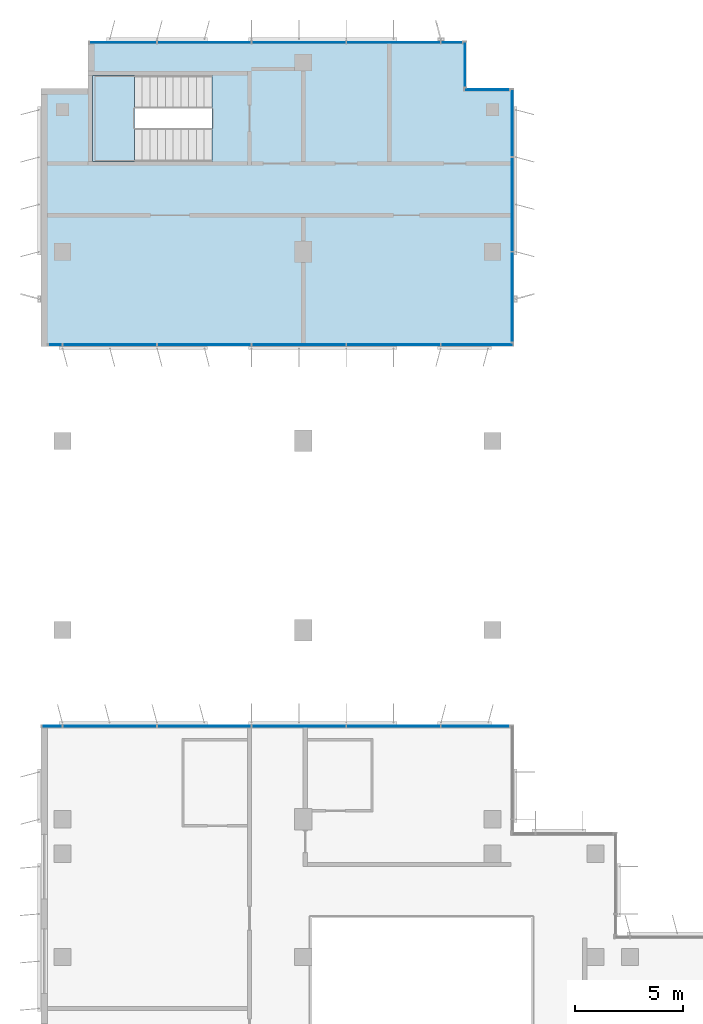
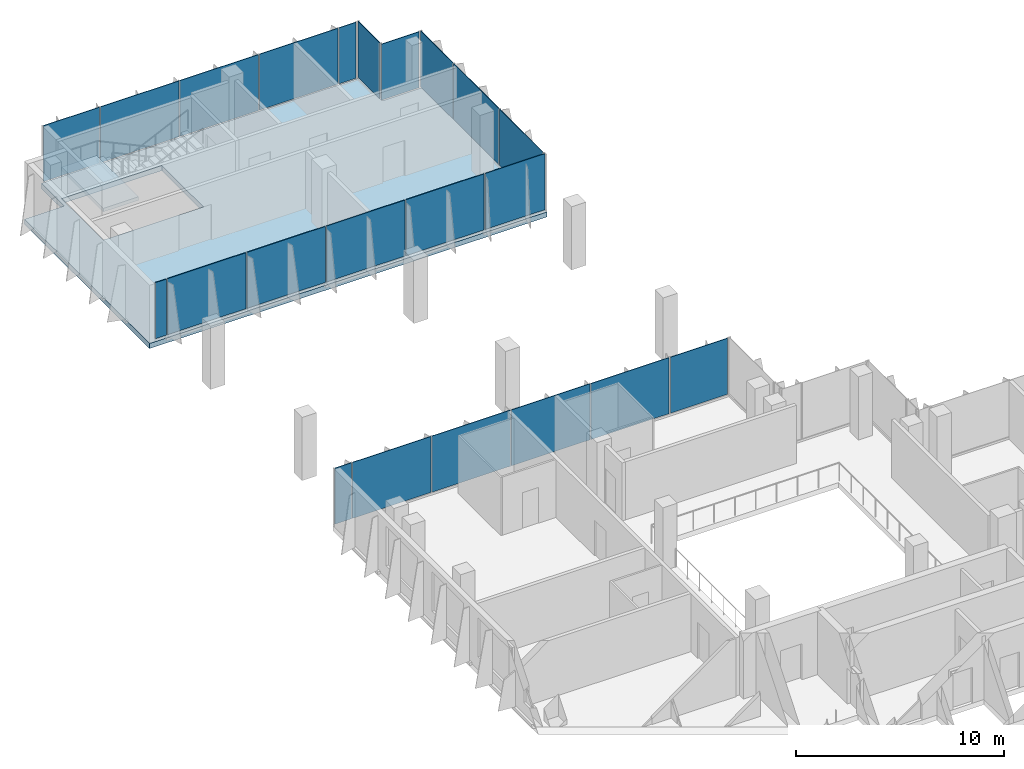
# One storey, part 8 of 14: 22 plates, 2 slabs, 7 elements without a shape of their own.
"""IFC4 building model written with IfcOpenShell, lengths in metres."""

from ifc_helpers import new_model, si_unit, direction, frame, origin, origin_2d, place, context, subcontext, project, spatial, polyline, rectangle, outline, extrude, source, transform, mapped, material, layer, layer_set, type_object, element, aggregate, save


model = new_model("IFC4")

# Units and contexts
model_context = context("Model", 3, precision=1e-05, world=origin(), true_north=direction((0.0, 1.0)))
body_context = subcontext(model_context, "Body", "Model", "MODEL_VIEW")
ifc_project = project(units=[si_unit("LENGTHUNIT", "METRE"), si_unit("AREAUNIT", "SQUARE_METRE"), si_unit("VOLUMEUNIT", "CUBIC_METRE"), si_unit("PLANEANGLEUNIT", "RADIAN"), si_unit("MASSUNIT", "GRAM", prefix="KILO")], contexts=[model_context])

# Site, building, storey
site_placement = place(None, origin())
site = spatial("IfcSite", under=ifc_project, at=site_placement, CompositionType="ELEMENT")
building_placement = place(site_placement, origin())
building = spatial("IfcBuilding", under=site, at=building_placement, Name="Kemantara Hotel Tower", CompositionType="ELEMENT")
storey_placement = place(building_placement, frame((0.0, 0.0, 245.0)))
storey = spatial("IfcBuildingStorey", under=building, at=storey_placement, Name="L61", CompositionType="ELEMENT", Elevation=245.0)

# Slab
ifc_material_1 = material(Name="Concrete fc 40 MPa", Category="concrete")
ifc_layer_1 = layer(ifc_material_1, 0.300048828125)
ifc_layer_set_1 = layer_set([ifc_layer_1], Name="Concrete fc 40 MPa")
slab_type_1 = type_object("IfcSlabType", Name="POST-TENSIONED FLAT PLATE 300", PredefinedType="FLOOR", material=ifc_layer_set_1)
slab_1_placement = place(storey_placement, frame((0.0, 0.0, -0.300048828125)))
element("IfcSlab", 1, at=slab_1_placement, inside=storey, type_object=slab_type_1, Name="FLOOR SLAB L61", PredefinedType="FLOOR", context=body_context, shape_type="SweptSolid", body=[
    extrude(outline(polyline([(2.199951171875, 61.39990234375), (0.0, 61.39990234375), (0.0, 49.39990234375), (22.0, 49.39990234375), (22.0, 61.39990234375), (19.800048828125, 61.39990234375), (19.800048828125, 63.60009765625), (2.199951171875, 63.60009765625), (2.199951171875, 61.39990234375)]), holes=[polyline([(2.39990234375, 58.0), (2.39990234375, 62.0), (7.949462890625, 62.0), (7.949462890625, 58.0), (2.39990234375, 58.0)])]), origin(), (0.0, 0.0, 1.0), 0.300048828125),
])

# Stair, slab
stair_type = type_object("IfcStairType", Name="Stair 1550 wide 22 risers of 168 x 360 mm", PredefinedType="HALF_TURN_STAIR", material=ifc_material_1)
stair_placement = place(storey_placement, origin())
stair = element("IfcStair", 2, at=stair_placement, inside=storey, type_object=stair_type, Name="L61 Exit stair ST4", PredefinedType="HALF_TURN_STAIR")
ifc_layer_2 = layer(ifc_material_1, 0.199951171875)
ifc_layer_set_2 = layer_set([ifc_layer_2], Name="Concrete fc 40 MPa")
slab_type_2 = type_object("IfcSlabType", Name="Stair landing 200 mm", PredefinedType="LANDING", material=ifc_layer_set_2)
slab_2_placement = place(storey_placement, frame((0.0, 0.0, 1.64990234375)))
slab_2 = element("IfcSlab", 3, at=slab_2_placement, type_object=slab_type_2, Name="ST4 landing 1", PredefinedType="LANDING", context=body_context, shape_type="SweptSolid", body=[
    extrude(outline(polyline([(4.35009765625, 62.0), (2.39990234375, 62.0), (2.39990234375, 58.0), (4.35009765625, 58.0), (4.35009765625, 62.0)])), origin(), (0.0, 0.0, 1.0), 0.2001953125),
])
aggregate(stair, [slab_2])

# Curtain wall, plates
ifc_material_2 = material(Name="Low-E tinted double insulated glass 36 mm", Category="glass")
curtain_wall_type = type_object("IfcCurtainWallType", Name="TOWER CURTAIN WALL, FRONT FACES", PredefinedType="USERDEFINED", material=ifc_material_2)
curtain_wall_1_placement = place(storey_placement, origin())
curtain_wall_1 = element("IfcCurtainWall", 4, at=curtain_wall_1_placement, inside=storey, type_object=curtain_wall_type, Name="CW4 L61 T4P-R01-1", ObjectType="TOWER CURTAIN WALL, FRONT FACES", PredefinedType="USERDEFINED")
ifc_layer_3 = layer(ifc_material_2, 0.035888671875)
ifc_layer_set_3 = layer_set([ifc_layer_3], Name="Low-E tinted double insulated glass 36 mm")
plate_type = type_object("IfcPlateType", Name="TOWER CURTAIN WALL, FRONT FACES PANEL", PredefinedType="CURTAIN_PANEL", material=ifc_layer_set_3)
shared_shape_1 = source(origin(), body_context, "Body", "SweptSolid", [
    extrude(rectangle(XDim=4.340087890625, YDim=0.035888671875, at=origin_2d()), origin(), (0.0, 0.0, 1.0), 3.280029296875),
])
plate_1_placement = place(storey_placement, frame((16.39990234375, 31.72509765625, 0.1201171875), z_axis=(0.0, 0.0, 1.0), x_axis=(-1.0, 0.0, 0.0)))
plate_1 = element("IfcPlate", 5, at=plate_1_placement, type_object=plate_type, Name="CW4 glass panel T4P-R01-1.2", PredefinedType="CURTAIN_PANEL", context=body_context, shape_type="MappedRepresentation", body=[
    mapped(shared_shape_1, transform((0.0, 0.0, 0.0))),
])
plate_2_placement = place(storey_placement, frame((12.0, 31.72509765625, 0.1201171875), z_axis=(0.0, 0.0, 1.0), x_axis=(-1.0, 0.0, 0.0)))
plate_2 = element("IfcPlate", 6, at=plate_2_placement, type_object=plate_type, Name="CW4 glass panel T4P-R01-1.3", PredefinedType="CURTAIN_PANEL", context=body_context, shape_type="MappedRepresentation", body=[
    mapped(shared_shape_1, transform((0.0, 0.0, 0.0))),
])
plate_3_placement = place(storey_placement, frame((7.60009765625, 31.72509765625, 0.1201171875), z_axis=(0.0, 0.0, 1.0), x_axis=(-1.0, 0.0, 0.0)))
plate_3 = element("IfcPlate", 7, at=plate_3_placement, type_object=plate_type, Name="CW4 glass panel T4P-R01-1.4", PredefinedType="CURTAIN_PANEL", context=body_context, shape_type="MappedRepresentation", body=[
    mapped(shared_shape_1, transform((0.0, 0.0, 0.0))),
])
plate_4_placement = place(storey_placement, frame((3.199951171875, 31.72509765625, 0.1201171875), z_axis=(0.0, 0.0, 1.0), x_axis=(-1.0, 0.0, 0.0)))
plate_4 = element("IfcPlate", 8, at=plate_4_placement, type_object=plate_type, Name="CW4 glass panel T4P-R01-1.5", PredefinedType="CURTAIN_PANEL", context=body_context, shape_type="MappedRepresentation", body=[
    mapped(shared_shape_1, transform((0.0, 0.0, 0.0))),
])

curtain_wall_2_placement = place(storey_placement, origin())
curtain_wall_2 = element("IfcCurtainWall", 9, at=curtain_wall_2_placement, inside=storey, type_object=curtain_wall_type, Name="CW4 L61 T4P-R12-1", ObjectType="TOWER CURTAIN WALL, FRONT FACES", PredefinedType="USERDEFINED")
plate_5_placement = place(storey_placement, frame((3.199951171875, 49.47509765625, 0.1201171875), z_axis=(0.0, 0.0, 1.0), x_axis=(1.0, 0.0, 0.0)))
plate_5 = element("IfcPlate", 10, at=plate_5_placement, type_object=plate_type, Name="CW4 glass panel T4P-R12-1.2", PredefinedType="CURTAIN_PANEL", context=body_context, shape_type="MappedRepresentation", body=[
    mapped(shared_shape_1, transform((0.0, 0.0, 0.0))),
])
plate_6_placement = place(storey_placement, frame((7.60009765625, 49.47509765625, 0.1201171875), z_axis=(0.0, 0.0, 1.0), x_axis=(1.0, 0.0, 0.0)))
plate_6 = element("IfcPlate", 11, at=plate_6_placement, type_object=plate_type, Name="CW4 glass panel T4P-R12-1.3", PredefinedType="CURTAIN_PANEL", context=body_context, shape_type="MappedRepresentation", body=[
    mapped(shared_shape_1, transform((0.0, 0.0, 0.0))),
])
plate_7_placement = place(storey_placement, frame((12.0, 49.47509765625, 0.1201171875), z_axis=(0.0, 0.0, 1.0), x_axis=(1.0, 0.0, 0.0)))
plate_7 = element("IfcPlate", 12, at=plate_7_placement, type_object=plate_type, Name="CW4 glass panel T4P-R12-1.4", PredefinedType="CURTAIN_PANEL", context=body_context, shape_type="MappedRepresentation", body=[
    mapped(shared_shape_1, transform((0.0, 0.0, 0.0))),
])
plate_8_placement = place(storey_placement, frame((16.39990234375, 49.47509765625, 0.1201171875), z_axis=(0.0, 0.0, 1.0), x_axis=(1.0, 0.0, 0.0)))
plate_8 = element("IfcPlate", 13, at=plate_8_placement, type_object=plate_type, Name="CW4 glass panel T4P-R12-1.5", PredefinedType="CURTAIN_PANEL", context=body_context, shape_type="MappedRepresentation", body=[
    mapped(shared_shape_1, transform((0.0, 0.0, 0.0))),
])

# Curtain wall, plate
curtain_wall_3_placement = place(storey_placement, origin())
curtain_wall_3 = element("IfcCurtainWall", 14, at=curtain_wall_3_placement, inside=storey, type_object=curtain_wall_type, Name="CW4 L61 T4P-R13-1", ObjectType="TOWER CURTAIN WALL, FRONT FACES", PredefinedType="USERDEFINED")
plate_9_placement = place(storey_placement, frame((21.925048828125, 56.0, 0.1201171875), z_axis=(0.0, 0.0, 1.0), x_axis=(0.0, 1.0, 0.0)))
plate_9 = element("IfcPlate", 15, at=plate_9_placement, type_object=plate_type, Name="CW4 glass panel T4P-R13-1.2", PredefinedType="CURTAIN_PANEL", context=body_context, shape_type="MappedRepresentation", body=[
    mapped(shared_shape_1, transform((0.0, 0.0, 0.0))),
])

# Curtain wall, plates
curtain_wall_4_placement = place(storey_placement, origin())
curtain_wall_4 = element("IfcCurtainWall", 16, at=curtain_wall_4_placement, inside=storey, type_object=curtain_wall_type, Name="CW4 L61 T4P-R16-1", ObjectType="TOWER CURTAIN WALL, FRONT FACES", PredefinedType="USERDEFINED")
plate_10_placement = place(storey_placement, frame((16.39990234375, 63.52490234375, 0.1201171875), z_axis=(0.0, 0.0, 1.0), x_axis=(-1.0, 0.0, 0.0)))
plate_10 = element("IfcPlate", 17, at=plate_10_placement, type_object=plate_type, Name="CW4 glass panel T4P-R16-1.2", PredefinedType="CURTAIN_PANEL", context=body_context, shape_type="MappedRepresentation", body=[
    mapped(shared_shape_1, transform((0.0, 0.0, 0.0))),
])
plate_11_placement = place(storey_placement, frame((12.0, 63.52490234375, 0.1201171875), z_axis=(0.0, 0.0, 1.0), x_axis=(-1.0, 0.0, 0.0)))
plate_11 = element("IfcPlate", 18, at=plate_11_placement, type_object=plate_type, Name="CW4 glass panel T4P-R16-1.3", PredefinedType="CURTAIN_PANEL", context=body_context, shape_type="MappedRepresentation", body=[
    mapped(shared_shape_1, transform((0.0, 0.0, 0.0))),
])
plate_12_placement = place(storey_placement, frame((7.60009765625, 63.52490234375, 0.1201171875), z_axis=(0.0, 0.0, 1.0), x_axis=(-1.0, 0.0, 0.0)))
plate_12 = element("IfcPlate", 19, at=plate_12_placement, type_object=plate_type, Name="CW4 glass panel T4P-R16-1.4", PredefinedType="CURTAIN_PANEL", context=body_context, shape_type="MappedRepresentation", body=[
    mapped(shared_shape_1, transform((0.0, 0.0, 0.0))),
])

# Plate
shared_shape_2 = source(origin(), body_context, "Body", "SweptSolid", [
    extrude(rectangle(XDim=3.110107421875, YDim=0.035888671875, at=origin_2d()), origin(), (0.0, 0.0, 1.0), 3.280029296875),
])
plate_13_placement = place(storey_placement, frame((21.925048828125, 59.784912109375, 0.1201171875), z_axis=(0.0, 0.0, 1.0), x_axis=(0.0, 1.0, 0.0)))
plate_13 = element("IfcPlate", 20, at=plate_13_placement, type_object=plate_type, Name="CW4 glass panel T4P-R13-1.3", PredefinedType="CURTAIN_PANEL", context=body_context, shape_type="MappedRepresentation", body=[
    mapped(shared_shape_2, transform((0.0, 0.0, 0.0))),
])

plate_14_placement = place(storey_placement, frame((3.81494140625, 63.52490234375, 0.1201171875), z_axis=(0.0, 0.0, 1.0), x_axis=(-1.0, 0.0, 0.0)))
plate_14 = element("IfcPlate", 21, at=plate_14_placement, type_object=plate_type, Name="CW4 glass panel T4P-R16-1.5", PredefinedType="CURTAIN_PANEL", context=body_context, shape_type="MappedRepresentation", body=[
    mapped(shared_shape_2, transform((0.0, 0.0, 0.0))),
])

# Curtain wall, plate
curtain_wall_5_placement = place(storey_placement, origin())
curtain_wall_5 = element("IfcCurtainWall", 22, at=curtain_wall_5_placement, inside=storey, type_object=curtain_wall_type, Name="CW4 L61 T4P-R14-1", ObjectType="TOWER CURTAIN WALL, FRONT FACES", PredefinedType="USERDEFINED")
shared_shape_3 = source(origin(), body_context, "Body", "SweptSolid", [
    extrude(rectangle(XDim=2.080078125, YDim=0.035888671875, at=origin_2d()), origin(), (0.0, 0.0, 1.0), 3.280029296875),
])
plate_15_placement = place(storey_placement, frame((20.75, 61.324951171875, 0.1201171875), z_axis=(0.0, 0.0, 1.0), x_axis=(-1.0, 0.0, 0.0)))
plate_15 = element("IfcPlate", 23, at=plate_15_placement, type_object=plate_type, Name="CW4 glass panel T4P-R14-1.1", PredefinedType="CURTAIN_PANEL", context=body_context, shape_type="MappedRepresentation", body=[
    mapped(shared_shape_3, transform((0.0, 0.0, 0.0))),
])
aggregate(curtain_wall_5, [plate_15])

curtain_wall_6_placement = place(storey_placement, origin())
curtain_wall_6 = element("IfcCurtainWall", 24, at=curtain_wall_6_placement, inside=storey, type_object=curtain_wall_type, Name="CW4 L61 T4P-R15-1", ObjectType="TOWER CURTAIN WALL, FRONT FACES", PredefinedType="USERDEFINED")
plate_16_placement = place(storey_placement, frame((19.72509765625, 62.5, 0.1201171875), z_axis=(0.0, 0.0, 1.0), x_axis=(0.0, 1.0, 0.0)))
plate_16 = element("IfcPlate", 25, at=plate_16_placement, type_object=plate_type, Name="CW4 glass panel T4P-R15-1.1", PredefinedType="CURTAIN_PANEL", context=body_context, shape_type="MappedRepresentation", body=[
    mapped(shared_shape_3, transform((0.0, 0.0, 0.0))),
])
aggregate(curtain_wall_6, [plate_16])

# Plate
shared_shape_4 = source(origin(), body_context, "Body", "SweptSolid", [
    extrude(rectangle(XDim=0.909912109375, YDim=0.035888671875, at=origin_2d()), origin(), (0.0, 0.0, 1.0), 3.280029296875),
])
plate_17_placement = place(storey_placement, frame((0.514892578125, 31.72509765625, 0.1201171875), z_axis=(0.0, 0.0, 1.0), x_axis=(-1.0, 0.0, 0.0)))
plate_17 = element("IfcPlate", 26, at=plate_17_placement, type_object=plate_type, Name="CW4 glass panel T4P-R01-1.6", PredefinedType="CURTAIN_PANEL", context=body_context, shape_type="MappedRepresentation", body=[
    mapped(shared_shape_4, transform((0.0, 0.0, 0.0))),
])

shared_shape_5 = source(origin(), body_context, "Body", "SweptSolid", [
    extrude(rectangle(XDim=0.9599609375, YDim=0.035888671875, at=origin_2d()), origin(), (0.0, 0.0, 1.0), 3.280029296875),
])
plate_18_placement = place(storey_placement, frame((19.110107421875, 63.52490234375, 0.1201171875), z_axis=(0.0, 0.0, 1.0), x_axis=(-1.0, 0.0, 0.0)))
plate_18 = element("IfcPlate", 27, at=plate_18_placement, type_object=plate_type, Name="CW4 glass panel T4P-R16-1.1", PredefinedType="CURTAIN_PANEL", context=body_context, shape_type="MappedRepresentation", body=[
    mapped(shared_shape_5, transform((0.0, 0.0, 0.0))),
])

aggregate(curtain_wall_4, [plate_18, plate_10, plate_11, plate_12, plate_14])

shared_shape_6 = source(origin(), body_context, "Body", "SweptSolid", [
    extrude(rectangle(XDim=0.610107421875, YDim=0.035888671875, at=origin_2d()), origin(), (0.0, 0.0, 1.0), 3.280029296875),
])
plate_19_placement = place(storey_placement, frame((0.6650390625, 49.47509765625, 0.1201171875), z_axis=(0.0, 0.0, 1.0), x_axis=(1.0, 0.0, 0.0)))
plate_19 = element("IfcPlate", 28, at=plate_19_placement, type_object=plate_type, Name="CW4 glass panel T4P-R12-1.1", PredefinedType="CURTAIN_PANEL", context=body_context, shape_type="MappedRepresentation", body=[
    mapped(shared_shape_6, transform((0.0, 0.0, 0.0))),
])

shared_shape_7 = source(origin(), body_context, "Body", "SweptSolid", [
    extrude(rectangle(XDim=3.159912109375, YDim=0.035888671875, at=origin_2d()), origin(), (0.0, 0.0, 1.0), 3.280029296875),
])
plate_20_placement = place(storey_placement, frame((20.2099609375, 31.72509765625, 0.1201171875), z_axis=(0.0, 0.0, 1.0), x_axis=(-1.0, 0.0, 0.0)))
plate_20 = element("IfcPlate", 29, at=plate_20_placement, type_object=plate_type, Name="CW4 glass panel T4P-R01-1.1", PredefinedType="CURTAIN_PANEL", context=body_context, shape_type="MappedRepresentation", body=[
    mapped(shared_shape_7, transform((0.0, 0.0, 0.0))),
])

aggregate(curtain_wall_1, [plate_20, plate_1, plate_2, plate_3, plate_4, plate_17])

shared_shape_8 = source(origin(), body_context, "Body", "SweptSolid", [
    extrude(rectangle(XDim=4.159912109375, YDim=0.035888671875, at=origin_2d()), origin(), (0.0, 0.0, 1.0), 3.280029296875),
])
plate_21_placement = place(storey_placement, frame((21.925048828125, 51.68994140625, 0.1201171875), z_axis=(0.0, 0.0, 1.0), x_axis=(0.0, 1.0, 0.0)))
plate_21 = element("IfcPlate", 30, at=plate_21_placement, type_object=plate_type, Name="CW4 glass panel T4P-R13-1.1", PredefinedType="CURTAIN_PANEL", context=body_context, shape_type="MappedRepresentation", body=[
    mapped(shared_shape_8, transform((0.0, 0.0, 0.0))),
])

aggregate(curtain_wall_3, [plate_21, plate_9, plate_13])

shared_shape_9 = source(origin(), body_context, "Body", "SweptSolid", [
    extrude(rectangle(XDim=3.31005859375, YDim=0.035888671875, at=origin_2d()), origin(), (0.0, 0.0, 1.0), 3.280029296875),
])
plate_22_placement = place(storey_placement, frame((20.284912109375, 49.47509765625, 0.1201171875), z_axis=(0.0, 0.0, 1.0), x_axis=(1.0, 0.0, 0.0)))
plate_22 = element("IfcPlate", 31, at=plate_22_placement, type_object=plate_type, Name="CW4 glass panel T4P-R12-1.6", PredefinedType="CURTAIN_PANEL", context=body_context, shape_type="MappedRepresentation", body=[
    mapped(shared_shape_9, transform((0.0, 0.0, 0.0))),
])

aggregate(curtain_wall_2, [plate_19, plate_5, plate_6, plate_7, plate_8, plate_22])

save(model, "model.ifc")
